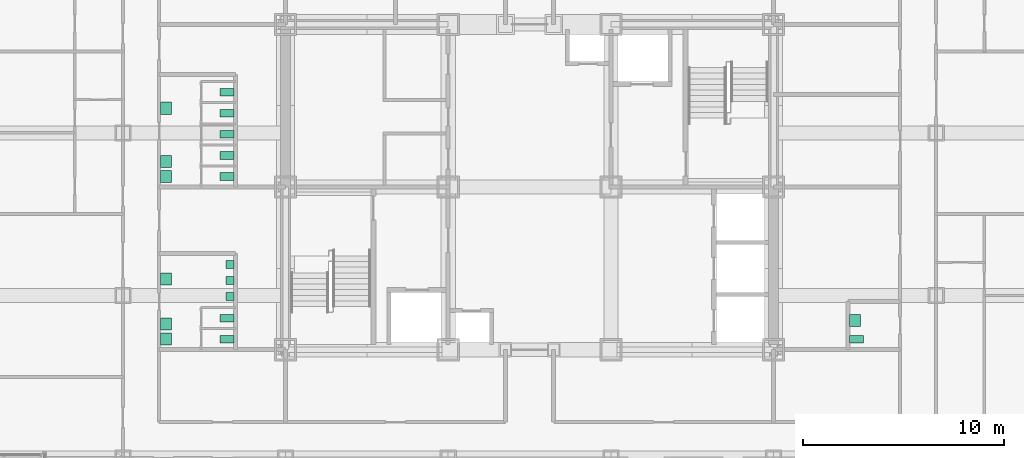
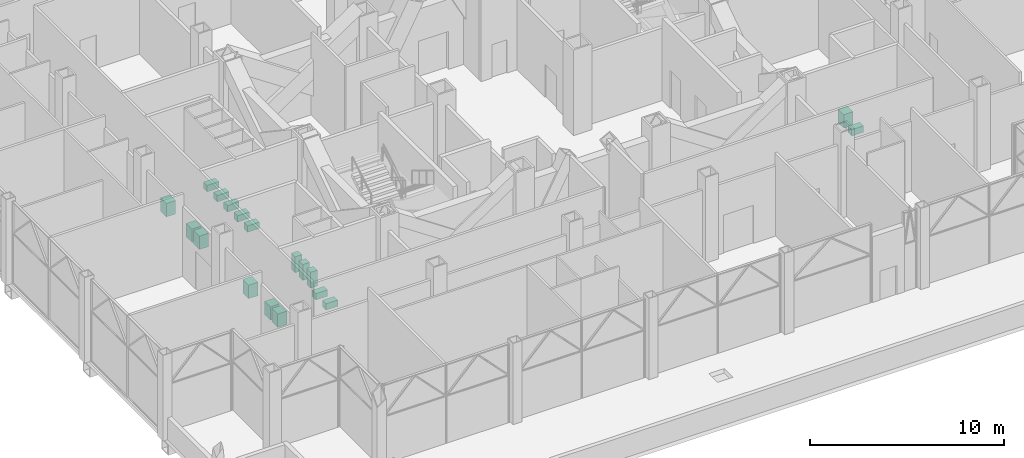
# One storey, part 29 of 29: 18 sanitary terminals.
"""IFC4 building model written with IfcOpenShell, lengths in metres."""

from ifc_helpers import new_model, si_unit, direction, frame, origin, origin_2d, place, context, subcontext, project, spatial, rectangle, extrude, material, element, save


model = new_model("IFC4")

# Units and contexts
model_context = context("Model", 3, precision=1e-05, world=origin(), true_north=direction((0.0, 1.0)))
body_context = subcontext(model_context, "Body", "Model", "MODEL_VIEW")
ifc_project = project(units=[si_unit("LENGTHUNIT", "METRE"), si_unit("AREAUNIT", "SQUARE_METRE"), si_unit("VOLUMEUNIT", "CUBIC_METRE"), si_unit("PLANEANGLEUNIT", "RADIAN"), si_unit("MASSUNIT", "GRAM", prefix="KILO")], contexts=[model_context])

# Site, building, storey
site_placement = place(None, origin())
site = spatial("IfcSite", under=ifc_project, at=site_placement, CompositionType="ELEMENT")
building_placement = place(site_placement, origin())
building = spatial("IfcBuilding", under=site, at=building_placement, Name="Kopane Lantern Tower", CompositionType="ELEMENT")
storey_placement = place(building_placement, frame((0.0, 0.0, 165.0)))
storey = spatial("IfcBuildingStorey", under=building, at=storey_placement, Name="L42", CompositionType="ELEMENT", Elevation=165.0)

# Sanitary terminals
ifc_material = material(Name="Vitreous china")
for number, where, z_axis, x_axis, name in (
    (1, (13.27490234375, 24.824951171875, 0.0), (0.0, 0.0, 1.0), (1.0, 0.0, 0.0), "WC pan L42"),
    (2, (13.27490234375, 25.875, 0.0), (0.0, 0.0, 1.0), (1.0, 0.0, 0.0), "WC pan L42"),
):
    element("IfcSanitaryTerminal", number, at=place(storey_placement, frame(where, z_axis=z_axis, x_axis=x_axis)), inside=storey, material=ifc_material, Name=name, PredefinedType="TOILETPAN", context=body_context, shape_type="SweptSolid", body=[
        extrude(rectangle(XDim=0.699951171875, YDim=0.3798828125, at=origin_2d()), origin(), (0.0, 0.0, 1.0), 0.39990234375),
    ])
for number, where, z_axis, x_axis, name in (
    (3, (13.425048828125, 26.949951171875, 0.0), (0.0, 0.0, 1.0), (1.0, 0.0, 0.0), "Urinal L42"),
    (4, (13.425048828125, 27.75, 0.0), (0.0, 0.0, 1.0), (1.0, 0.0, 0.0), "Urinal L42"),
    (5, (13.425048828125, 28.550048828125, 0.0), (0.0, 0.0, 1.0), (1.0, 0.0, 0.0), "Urinal L42"),
):
    element("IfcSanitaryTerminal", number, at=place(storey_placement, frame(where, z_axis=z_axis, x_axis=x_axis)), inside=storey, material=ifc_material, Name=name, PredefinedType="URINAL", context=body_context, shape_type="SweptSolid", body=[
        extrude(rectangle(XDim=0.39990234375, YDim=0.39990234375, at=origin_2d()), origin(), (0.0, 0.0, 1.0), 1.0),
    ])
for number, where, z_axis, x_axis, name in (
    (6, (10.25, 24.824951171875, 0.0), (0.0, 0.0, 1.0), (1.0, 0.0, 0.0), "Wash basin L42"),
    (7, (10.25, 25.574951171875, 0.0), (0.0, 0.0, 1.0), (1.0, 0.0, 0.0), "Wash basin L42"),
    (8, (10.25, 27.824951171875, 0.0), (0.0, 0.0, 1.0), (1.0, 0.0, 0.0), "Wash basin L42"),
):
    element("IfcSanitaryTerminal", number, at=place(storey_placement, frame(where, z_axis=z_axis, x_axis=x_axis)), inside=storey, material=ifc_material, Name=name, PredefinedType="WASHHANDBASIN", context=body_context, shape_type="SweptSolid", body=[
        extrude(rectangle(XDim=0.550048828125, YDim=0.60009765625, at=origin_2d()), origin(), (0.0, 0.0, 1.0), 0.85009765625),
    ])
for number, where, z_axis, x_axis, name in (
    (9, (13.27490234375, 32.925048828125, 0.0), (0.0, 0.0, 1.0), (1.0, 0.0, 0.0), "WC pan L42"),
    (10, (13.27490234375, 33.97509765625, 0.0), (0.0, 0.0, 1.0), (1.0, 0.0, 0.0), "WC pan L42"),
    (11, (13.27490234375, 35.02490234375, 0.0), (0.0, 0.0, 1.0), (1.0, 0.0, 0.0), "WC pan L42"),
    (12, (13.27490234375, 36.074951171875, 0.0), (0.0, 0.0, 1.0), (1.0, 0.0, 0.0), "WC pan L42"),
    (13, (13.27490234375, 37.125, 0.0), (0.0, 0.0, 1.0), (1.0, 0.0, 0.0), "WC pan L42"),
):
    element("IfcSanitaryTerminal", number, at=place(storey_placement, frame(where, z_axis=z_axis, x_axis=x_axis)), inside=storey, material=ifc_material, Name=name, PredefinedType="TOILETPAN", context=body_context, shape_type="SweptSolid", body=[
        extrude(rectangle(XDim=0.699951171875, YDim=0.3798828125, at=origin_2d()), origin(), (0.0, 0.0, 1.0), 0.39990234375),
    ])
for number, where, z_axis, x_axis, name in (
    (14, (10.25, 32.925048828125, 0.0), (0.0, 0.0, 1.0), (1.0, 0.0, 0.0), "Wash basin L42"),
    (15, (10.25, 33.675048828125, 0.0), (0.0, 0.0, 1.0), (1.0, 0.0, 0.0), "Wash basin L42"),
    (16, (10.25, 36.324951171875, 0.0), (0.0, 0.0, 1.0), (1.0, 0.0, 0.0), "Wash basin L42"),
):
    element("IfcSanitaryTerminal", number, at=place(storey_placement, frame(where, z_axis=z_axis, x_axis=x_axis)), inside=storey, material=ifc_material, Name=name, PredefinedType="WASHHANDBASIN", context=body_context, shape_type="SweptSolid", body=[
        extrude(rectangle(XDim=0.550048828125, YDim=0.60009765625, at=origin_2d()), origin(), (0.0, 0.0, 1.0), 0.85009765625),
    ])
sanitary_terminal_1_placement = place(storey_placement, frame((44.625, 24.824951171875, 0.0), z_axis=(0.0, 0.0, 1.0), x_axis=(1.0, 0.0, 0.0)))
element("IfcSanitaryTerminal", 17, at=sanitary_terminal_1_placement, inside=storey, material=ifc_material, Name="WC pan L42", PredefinedType="TOILETPAN", context=body_context, shape_type="SweptSolid", body=[
    extrude(rectangle(XDim=0.699951171875, YDim=0.3798828125, at=origin_2d()), origin(), (0.0, 0.0, 1.0), 0.39990234375),
])
sanitary_terminal_2_placement = place(storey_placement, frame((44.550048828125, 25.75, 0.0), z_axis=(0.0, 0.0, 1.0), x_axis=(1.0, 0.0, 0.0)))
element("IfcSanitaryTerminal", 18, at=sanitary_terminal_2_placement, inside=storey, material=ifc_material, Name="Wash basin L42", PredefinedType="WASHHANDBASIN", context=body_context, shape_type="SweptSolid", body=[
    extrude(rectangle(XDim=0.550048828125, YDim=0.60009765625, at=origin_2d()), origin(), (0.0, 0.0, 1.0), 0.85009765625),
])

save(model, "model.ifc")
